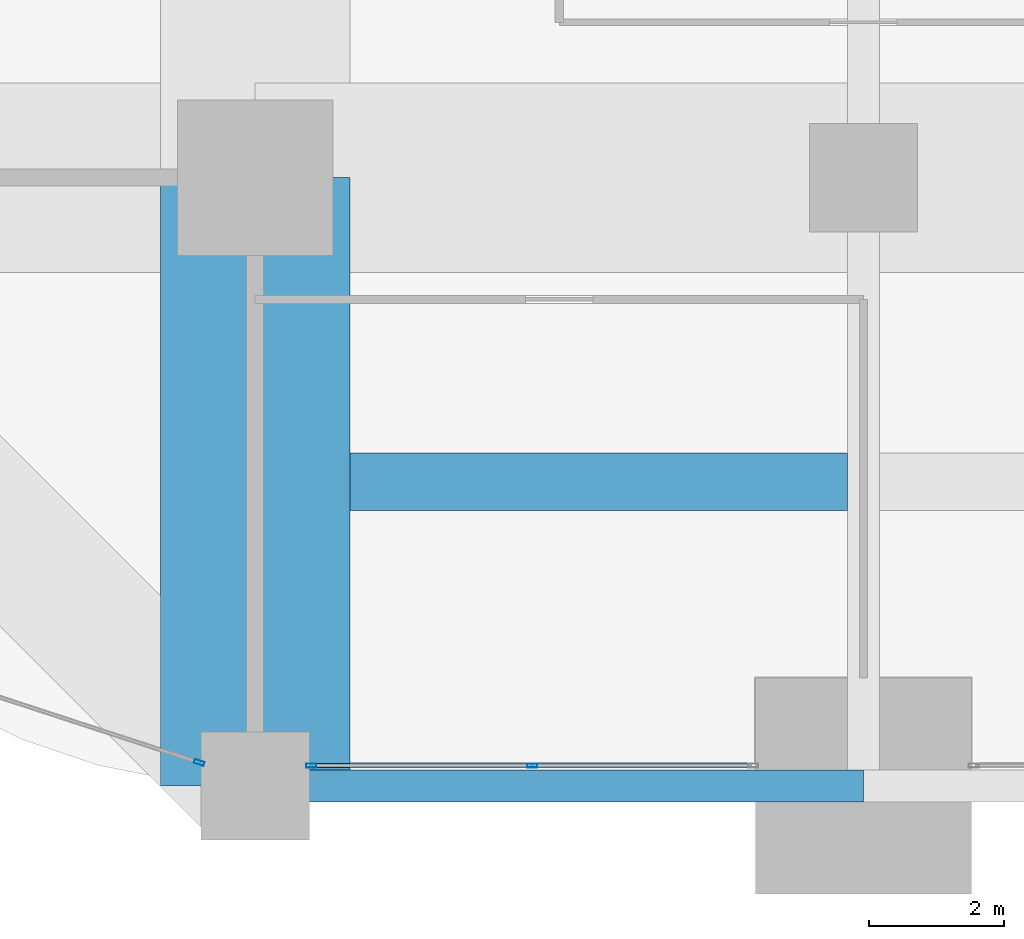
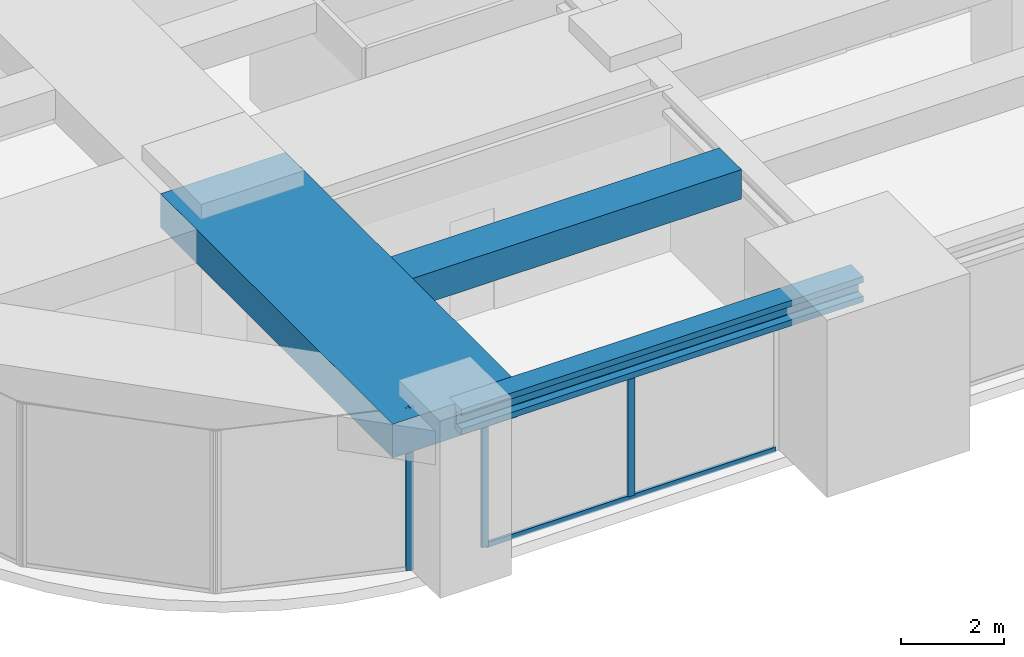
# One storey, part 4 of 39: 4 members, 3 beams, 2 elements without a shape of their own.
"""IFC4 building model written with IfcOpenShell, lengths in metres."""

from ifc_helpers import new_model, si_unit, direction, frame, origin, origin_2d, place, context, subcontext, project, spatial, rectangle, hollow_rectangle, i_section, extrude, material, material_profile, profile_set, type_object, element, aggregate, save


model = new_model("IFC4")

# Units and contexts
model_context = context("Model", 3, precision=1e-05, world=origin(), true_north=direction((0.0, 1.0)))
body_context = subcontext(model_context, "Body", "Model", "MODEL_VIEW")
ifc_project = project(units=[si_unit("LENGTHUNIT", "METRE"), si_unit("AREAUNIT", "SQUARE_METRE"), si_unit("VOLUMEUNIT", "CUBIC_METRE"), si_unit("PLANEANGLEUNIT", "RADIAN"), si_unit("MASSUNIT", "GRAM", prefix="KILO")], contexts=[model_context])

# Site, building, storey
site_placement = place(None, origin())
site = spatial("IfcSite", under=ifc_project, at=site_placement, CompositionType="ELEMENT")
building_placement = place(site_placement, origin())
building = spatial("IfcBuilding", under=site, at=building_placement, Name="Zorevar Civic Tower", CompositionType="ELEMENT")
storey_placement = place(building_placement, frame((0.0, 0.0, 230.199951171875)))
storey = spatial("IfcBuildingStorey", under=building, at=storey_placement, Name="L56", CompositionType="ELEMENT", Elevation=230.199951171875)

# Beams
ifc_material_1 = material(Name="Concrete C50/60", Category="concrete")
ifc_material_profile_1 = material_profile(ifc_material_1, rectangle(XDim=2.800048828125, YDim=0.800048828125, at=origin_2d()), Name="RC 2800x800")
ifc_profile_set_1 = profile_set([ifc_material_profile_1], Name="Concrete C50/60")
beam_type_1 = type_object("IfcBeamType", Name="Beam RC 2800x800", PredefinedType="BEAM", material=ifc_profile_set_1)
beam_1_placement = place(storey_placement, frame((9.0, 0.0, 3.449951171875), z_axis=(0.0, 1.0, 0.0), x_axis=(-1.0, 0.0, 0.0)))
element("IfcBeam", 1, at=beam_1_placement, inside=storey, type_object=beam_type_1, Name="Girder L57", PredefinedType="BEAM", context=body_context, shape_type="SweptSolid", body=[
    extrude(rectangle(XDim=2.800048828125, YDim=0.800048828125, at=origin_2d()), origin(), (0.0, 0.0, 1.0), 9.0),
])
ifc_material_2 = material(Name="Concrete C50/60", Category="concrete")
ifc_material_profile_2 = material_profile(ifc_material_2, rectangle(XDim=0.85009765625, YDim=0.699951171875, at=origin_2d()), Name="RC 850x700")
ifc_profile_set_2 = profile_set([ifc_material_profile_2], Name="Concrete C50/60")
beam_type_2 = type_object("IfcBeamType", Name="Beam RC 850x700", PredefinedType="BEAM", material=ifc_profile_set_2)
beam_2_placement = place(storey_placement, frame((10.39990234375, 4.5, 3.5), z_axis=(1.0, 0.0, 0.0), x_axis=(0.0, 1.0, 0.0)))
element("IfcBeam", 2, at=beam_2_placement, inside=storey, type_object=beam_type_2, Name="Secondary beam L57", PredefinedType="BEAM", context=body_context, shape_type="SweptSolid", body=[
    extrude(rectangle(XDim=0.85009765625, YDim=0.699951171875, at=origin_2d()), origin(), (0.0, 0.0, 1.0), 7.362060546875),
])
ifc_material_3 = material(Name="Steel S460M (HISTAR 460)", Category="steel")
ifc_material_profile_3 = material_profile(ifc_material_3, i_section(OverallWidth=0.47607421875, OverallDepth=0.60009765625, WebThickness=0.10009765625, FlangeThickness=0.139892578125, FilletRadius=0.014892578125, at=origin_2d()), Name="HD 400x1299")
ifc_profile_set_3 = profile_set([ifc_material_profile_3], Name="Steel S460M (HISTAR 460)")
beam_type_3 = type_object("IfcBeamType", Name="Belt chord HD 400x1299", PredefinedType="BEAM", material=ifc_profile_set_3)
beam_3_placement = place(storey_placement, frame((9.0, 0.0, 3.550048828125), z_axis=(1.0, 0.0, 0.0), x_axis=(0.0, 1.0, 0.0)))
element("IfcBeam", 3, at=beam_3_placement, inside=storey, type_object=beam_type_3, Name="Belt chord L57", PredefinedType="BEAM", context=body_context, shape_type="SweptSolid", body=[
    extrude(i_section(OverallWidth=0.47607421875, OverallDepth=0.60009765625, WebThickness=0.10009765625, FlangeThickness=0.139892578125, FilletRadius=0.014892578125, at=origin_2d()), origin(), (0.0, 0.0, 1.0), 9.0),
])

# Curtain wall, members
ifc_material_4 = material(Name="Dark grey solar-control glass in black aluminium frame", Category="aluminium")
curtain_wall_type = type_object("IfcCurtainWallType", Name="Curtain wall CW4 high zone", PredefinedType="NOTDEFINED", material=ifc_material_4)
curtain_wall_1_placement = place(storey_placement, origin())
curtain_wall_1 = element("IfcCurtainWall", 4, at=curtain_wall_1_placement, inside=storey, type_object=curtain_wall_type, Name="CW4 L56", PredefinedType="NOTDEFINED")
ifc_material_5 = material(Name="Aluminium, black anodised", Category="aluminium")
ifc_material_profile_4 = material_profile(ifc_material_5, hollow_rectangle(XDim=0.06005859375, YDim=0.14990234375, WallThickness=0.00390625, at=origin_2d()), Name="AL 150x60x4")
ifc_profile_set_4 = profile_set([ifc_material_profile_4], Name="Aluminium, black anodised")
member_type_1 = type_object("IfcMemberType", Name="CW4 mullion AL 150x60x4", PredefinedType="MULLION", material=ifc_profile_set_4)
member_1_placement = place(storey_placement, frame((9.830078125, 0.300048828125, 0.0), z_axis=(0.0, 0.0, 1.0), x_axis=(0.0, 1.0, 0.0)))
member_1 = element("IfcMember", 5, at=member_1_placement, type_object=member_type_1, Name="CW4 mullion 1", PredefinedType="MULLION", context=body_context, shape_type="SweptSolid", body=[
    extrude(hollow_rectangle(XDim=0.06005859375, YDim=0.14990234375, WallThickness=0.00390625, at=origin_2d()), origin(), (0.0, 0.0, 1.0), 3.050048828125),
])
member_2_placement = place(storey_placement, frame((13.10009765625, 0.300048828125, 0.06005859375), z_axis=(0.0, 0.0, 1.0), x_axis=(0.0, 1.0, 0.0)))
member_2 = element("IfcMember", 6, at=member_2_placement, type_object=member_type_1, Name="CW4 mullion 2", PredefinedType="MULLION", context=body_context, shape_type="SweptSolid", body=[
    extrude(hollow_rectangle(XDim=0.06005859375, YDim=0.14990234375, WallThickness=0.00390625, at=origin_2d()), origin(), (0.0, 0.0, 1.0), 2.989990234375),
])

# Curtain wall, member
curtain_wall_2_placement = place(storey_placement, origin())
curtain_wall_2 = element("IfcCurtainWall", 7, at=curtain_wall_2_placement, inside=storey, type_object=curtain_wall_type, Name="CW4 L56", PredefinedType="NOTDEFINED")
member_3_placement = place(storey_placement, frame((8.17138671875, 0.34619140625, 0.0), z_axis=(0.0, 0.0, 1.0), x_axis=(0.311169307637, 0.9503544928, 0.0)))
member_3 = element("IfcMember", 8, at=member_3_placement, type_object=member_type_1, Name="CW4 mullion 2", PredefinedType="MULLION", context=body_context, shape_type="SweptSolid", body=[
    extrude(hollow_rectangle(XDim=0.06005859375, YDim=0.14990234375, WallThickness=0.00390625, at=origin_2d()), origin(), (0.0, 0.0, 1.0), 3.85009765625),
])
aggregate(curtain_wall_2, [member_3])

# Member
ifc_material_6 = material(Name="Aluminium, black anodised", Category="aluminium")
ifc_material_profile_5 = material_profile(ifc_material_6, hollow_rectangle(XDim=0.06005859375, YDim=0.1201171875, WallThickness=0.0029296875, at=origin_2d()), Name="AL 120x60x3")
ifc_profile_set_5 = profile_set([ifc_material_profile_5], Name="Aluminium, black anodised")
member_type_2 = type_object("IfcMemberType", Name="CW4 transom AL 120x60x3", PredefinedType="USERDEFINED", material=ifc_profile_set_5)
member_4_placement = place(storey_placement, frame((9.860107421875, 0.300048828125, 0.030029296875), z_axis=(1.0, 0.0, 0.0), x_axis=(0.0, 1.0, 0.0)))
member_4 = element("IfcMember", 9, at=member_4_placement, type_object=member_type_2, Name="CW4 sill transom", ObjectType="TRANSOM", PredefinedType="USERDEFINED", context=body_context, shape_type="SweptSolid", body=[
    extrude(hollow_rectangle(XDim=0.06005859375, YDim=0.1201171875, WallThickness=0.0029296875, at=origin_2d()), origin(), (0.0, 0.0, 1.0), 6.47998046875),
])

aggregate(curtain_wall_1, [member_1, member_2, member_4])

save(model, "model.ifc")
